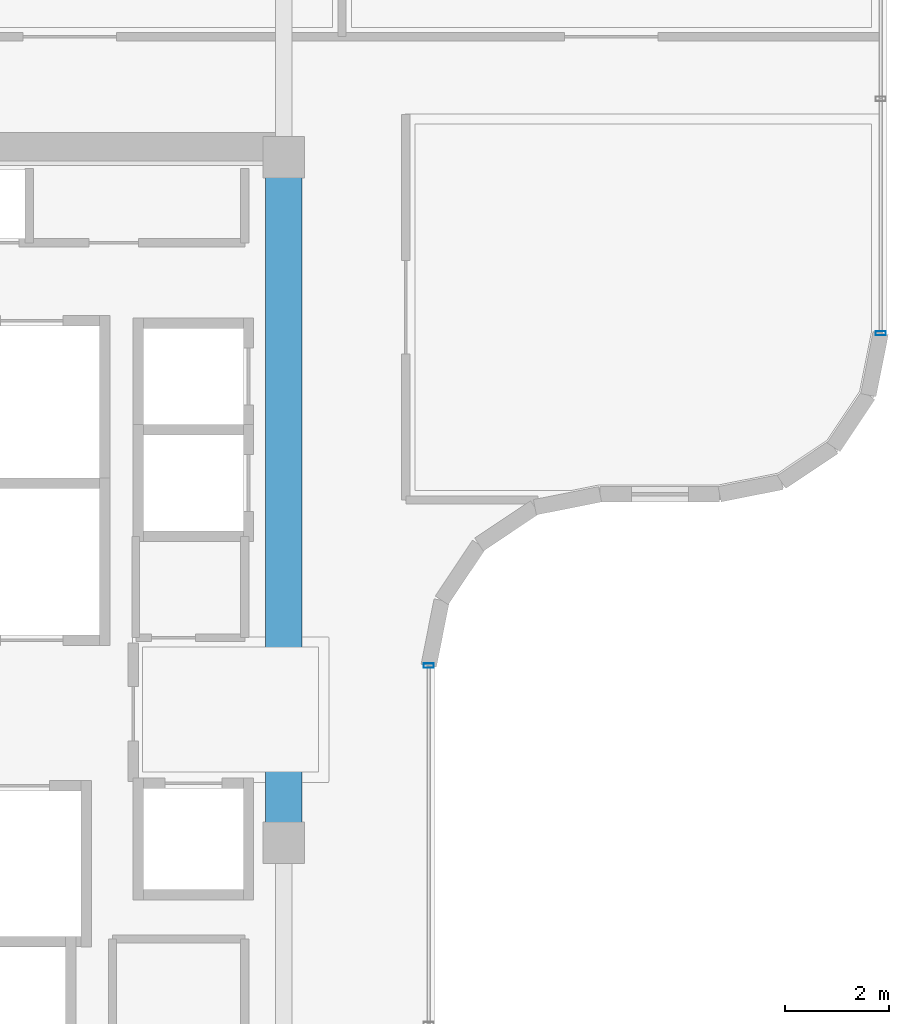
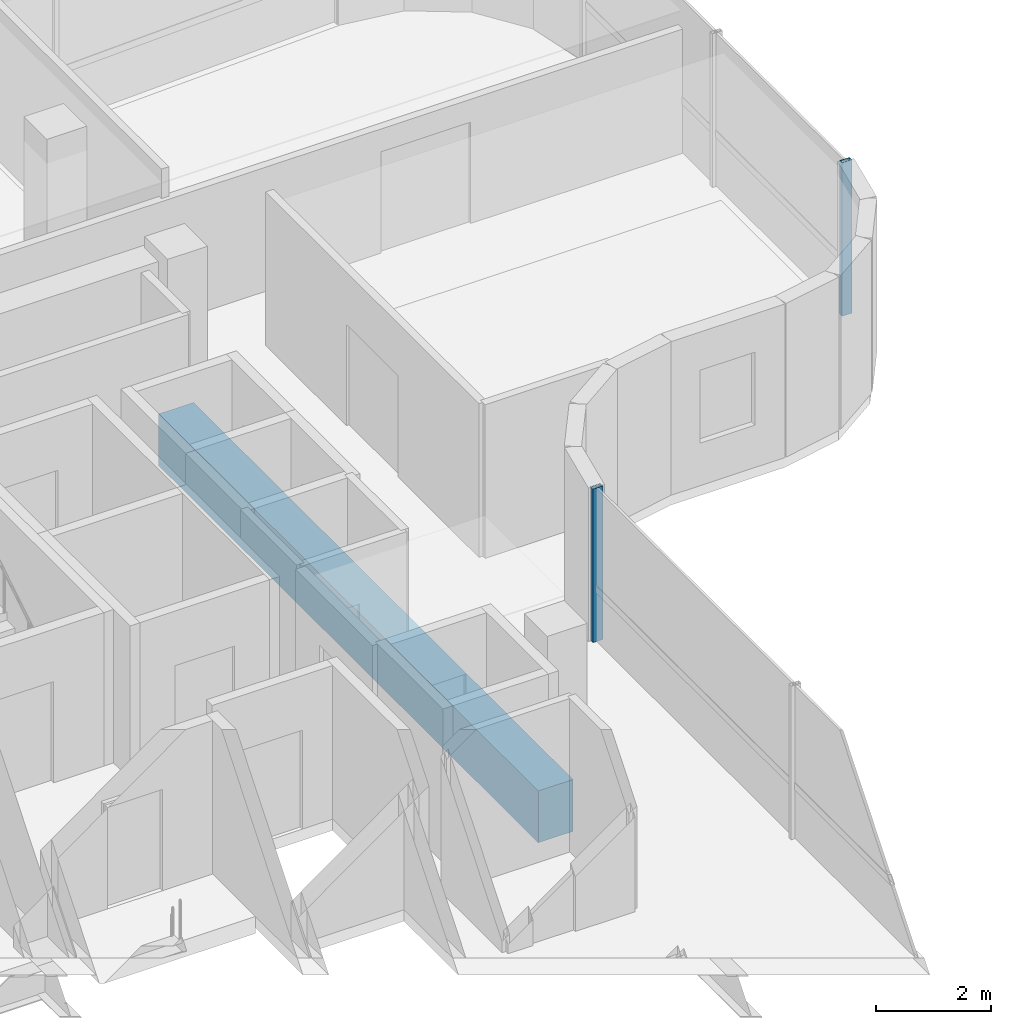
# One storey, part 8 of 18: 2 members, 1 beam, 2 elements without a shape of their own.
"""IFC4 building model written with IfcOpenShell, lengths in metres."""

from ifc_helpers import new_model, si_unit, direction, frame, origin, origin_2d, place, context, subcontext, project, spatial, rectangle, hollow_rectangle, extrude, source, transform, mapped, material, material_profile, profile_set, type_object, element, aggregate, save


model = new_model("IFC4")

# Units and contexts
model_context = context("Model", 3, precision=1e-05, world=origin(), true_north=direction((0.0, 1.0)))
body_context = subcontext(model_context, "Body", "Model", "MODEL_VIEW")
ifc_project = project(units=[si_unit("LENGTHUNIT", "METRE"), si_unit("AREAUNIT", "SQUARE_METRE"), si_unit("VOLUMEUNIT", "CUBIC_METRE"), si_unit("PLANEANGLEUNIT", "RADIAN"), si_unit("MASSUNIT", "GRAM", prefix="KILO")], contexts=[model_context])

# Site, building, storey
site_placement = place(None, origin())
site = spatial("IfcSite", under=ifc_project, at=site_placement, CompositionType="ELEMENT")
building_placement = place(site_placement, origin())
building = spatial("IfcBuilding", under=site, at=building_placement, Name="Valdorenza Pilgrim Sanctuary Tower", CompositionType="ELEMENT")
storey_placement = place(building_placement, frame((0.0, 0.0, 276.5)))
storey = spatial("IfcBuildingStorey", under=building, at=storey_placement, Name="L72", CompositionType="ELEMENT", Elevation=276.5)

# Beam
ifc_material_1 = material(Name="Concrete C50/60", Category="concrete")
ifc_material_profile_1 = material_profile(ifc_material_1, rectangle(XDim=0.699951171875, YDim=1.10009765625, at=origin_2d()), Name="RC 1100x700")
ifc_profile_set_1 = profile_set([ifc_material_profile_1], Name="Concrete C50/60")
beam_type = type_object("IfcBeamType", Name="STR-BM-LNT-1100", PredefinedType="LINTEL", material=ifc_profile_set_1)
shared_shape_1 = source(origin(), body_context, "Body", "SweptSolid", [
    extrude(rectangle(XDim=0.699951171875, YDim=1.10009765625, at=origin_2d()), origin(), (0.0, 0.0, 1.0), 13.2001953125),
])
beam_placement = place(storey_placement, frame((-12.39990234375, -2.60009765625, -0.590087890625), z_axis=(0.0, 1.0, 0.0), x_axis=(-1.0, 0.0, 0.0)))
element("IfcBeam", 1, at=beam_placement, inside=storey, type_object=beam_type, Name="L72 Core A Coupling Lintel Girder", PredefinedType="LINTEL", context=body_context, shape_type="MappedRepresentation", body=[
    mapped(shared_shape_1, transform((0.0, 0.0, 0.0), x_axis=(1.0, 0.0, 0.0), y_axis=(0.0, 1.0, 0.0), z_axis=(0.0, 0.0, 1.0), scale=1.0)),
])

# Curtain wall, member
ifc_material_2 = material(Name="Curtain-wall IGU glazing", Category="glass")
curtain_wall_type = type_object("IfcCurtainWallType", Name="CW-SYS-02", PredefinedType="NOTDEFINED", material=ifc_material_2)
curtain_wall_1_placement = place(storey_placement, origin())
curtain_wall_1 = element("IfcCurtainWall", 2, at=curtain_wall_1_placement, inside=storey, type_object=curtain_wall_type, Name="L72 Curtain Wall CW-L72-1-11", PredefinedType="NOTDEFINED")
ifc_material_3 = material(Name="Anodised aluminium AW-6060", Category="aluminium")
ifc_material_profile_2 = material_profile(ifc_material_3, hollow_rectangle(XDim=0.0849609375, YDim=0.199951171875, WallThickness=0.0048828125, at=origin_2d()), Name="ALU-M 200x85x5")
ifc_profile_set_2 = profile_set([ifc_material_profile_2], Name="Anodised aluminium AW-6060")
member_type = type_object("IfcMemberType", Name="CW-MUL-02", PredefinedType="MULLION", material=ifc_profile_set_2)
shared_shape_2 = source(origin(), body_context, "Body", "SweptSolid", [
    extrude(hollow_rectangle(XDim=0.0849609375, YDim=0.199951171875, WallThickness=0.0048828125, at=origin_2d()), origin(), (0.0, 0.0, 1.0), 3.260009765625),
])
member_1_placement = place(storey_placement, frame((-0.909912109375, 7.210693359375, 0.0), z_axis=(0.0, 0.0, 1.0), x_axis=(0.0, -1.0, 0.0)))
member_1 = element("IfcMember", 3, at=member_1_placement, type_object=member_type, Name="CW-L72-1-11 Mullion 3", PredefinedType="MULLION", context=body_context, shape_type="MappedRepresentation", body=[
    mapped(shared_shape_2, transform((0.0, 0.0, 0.0), x_axis=(1.0, 0.0, 0.0), y_axis=(0.0, 1.0, 0.0), z_axis=(0.0, 0.0, 1.0), scale=1.0)),
])
aggregate(curtain_wall_1, [member_1])

curtain_wall_2_placement = place(storey_placement, origin())
curtain_wall_2 = element("IfcCurtainWall", 4, at=curtain_wall_2_placement, inside=storey, type_object=curtain_wall_type, Name="L72 Curtain Wall CW-L72-1-21", PredefinedType="NOTDEFINED")
member_2_placement = place(storey_placement, frame((-9.610107421875, 0.810791015625, 0.0), z_axis=(0.0, 0.0, 1.0), x_axis=(0.0, -1.0, 0.0)))
member_2 = element("IfcMember", 5, at=member_2_placement, type_object=member_type, Name="CW-L72-1-21 Mullion 1", PredefinedType="MULLION", context=body_context, shape_type="MappedRepresentation", body=[
    mapped(shared_shape_2, transform((0.0, 0.0, 0.0), x_axis=(1.0, 0.0, 0.0), y_axis=(0.0, 1.0, 0.0), z_axis=(0.0, 0.0, 1.0), scale=1.0)),
])
aggregate(curtain_wall_2, [member_2])

save(model, "model.ifc")
